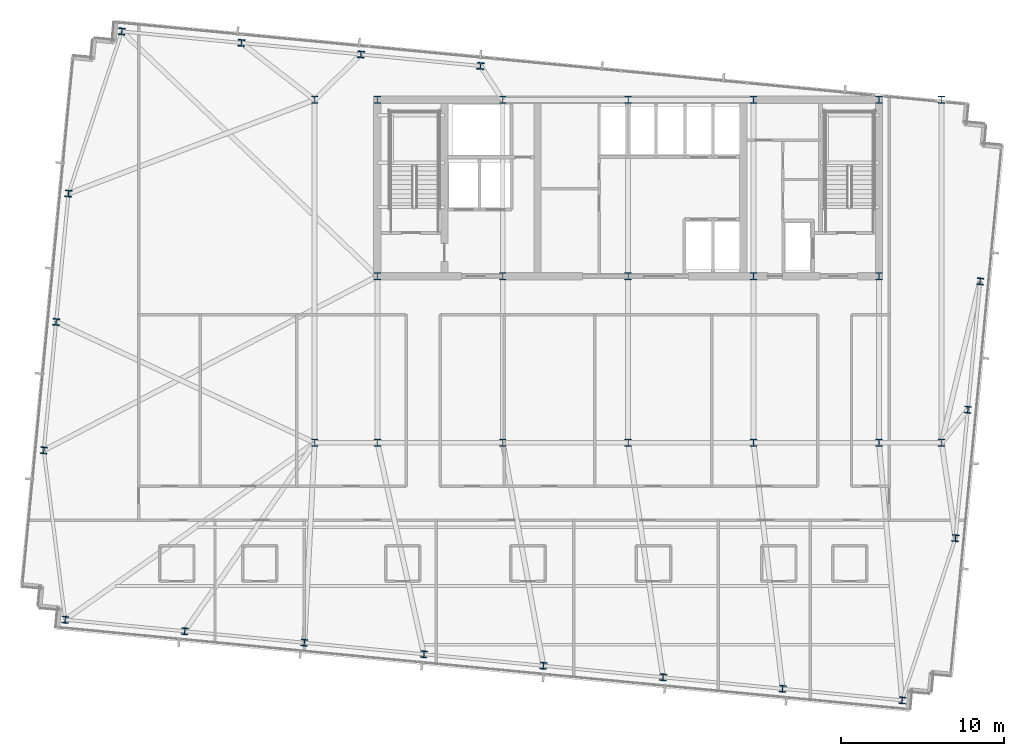
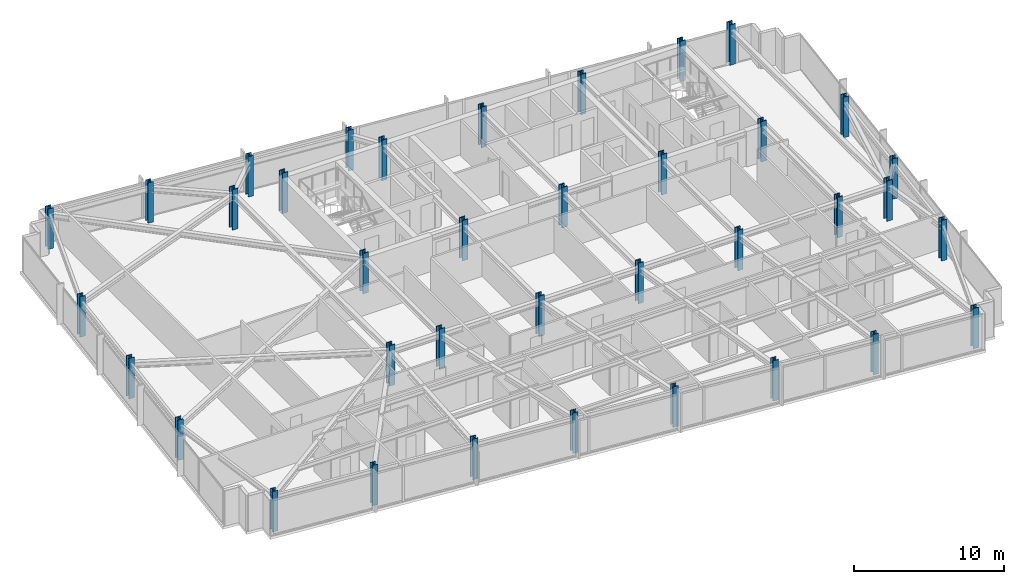
# One storey, part 1 of 37: 37 columns.
"""IFC4 building model written with IfcOpenShell, lengths in metres."""

import ifcopenshell
import ifcopenshell.guid

model = None  # the IFC model being written
_history = None  # IfcOwnerHistory: only IFC2X3 demands one
_inside = {}  # id of a spatial element -> (the spatial element, [elements in it])
_under = {}  # id of a project, library or spatial element -> (it, [spatial elements below it])
_declared = {}  # id of a project -> (the project, [libraries it declares])
_typed = {}  # id of a type object -> (the type object, [elements of that type])
_made_of = {}  # id of a material, layer set ... -> (it, [elements and type objects made of it])


def new_model(schema):
    """Start an empty IFC model of exactly this schema.

    Asked for "IFC4X3", IfcOpenShell would pick the latest addendum, in which some entities
    have other attributes; the version numbers below select the first issue.
    IFC2X3 requires an IfcOwnerHistory on every rooted entity: one is made here for all.
    """
    global model, _history
    if schema == "IFC4X3":
        model = ifcopenshell.file(schema_version=(4, 3, 0, 0))
    else:
        model = ifcopenshell.file(schema=schema)
    _inside.clear()
    _under.clear()
    _declared.clear()
    _typed.clear()
    _made_of.clear()
    _history = None
    if model.schema == "IFC2X3":
        org = make("IfcOrganization", Name="unknown")
        user = make(
            "IfcPersonAndOrganization",
            ThePerson=make("IfcPerson", FamilyName="unknown"),
            TheOrganization=org,
        )
        app = make(
            "IfcApplication",
            ApplicationDeveloper=org,
            Version="unknown",
            ApplicationFullName="unknown",
            ApplicationIdentifier="unknown",
        )
        _history = make(
            "IfcOwnerHistory",
            OwningUser=user,
            OwningApplication=app,
            ChangeAction="ADDED",
            CreationDate=0,
        )
    return model


def make(cls, **values):
    """One entity of the class cls with the attributes given. An attribute that is None is left unset."""
    return model.create_entity(
        cls, **{name: value for name, value in values.items() if value is not None}
    )


def rooted(cls, **values):
    """An entity with a GlobalId (a new one), such as an element, a storey or a relation."""
    return make(cls, GlobalId=ifcopenshell.guid.new(), OwnerHistory=_history, **values)


def si_unit(unit_type, name, prefix=None):
    """IfcSIUnit, for example si_unit("LENGTHUNIT", "METRE", prefix="MILLI")."""
    return make("IfcSIUnit", UnitType=unit_type, Prefix=prefix, Name=name)


def assignment(units):
    """IfcUnitAssignment: the units of a project."""
    return None if units is None else make("IfcUnitAssignment", Units=units)


def point(xyz):
    """IfcCartesianPoint."""
    return None if xyz is None else make("IfcCartesianPoint", Coordinates=xyz)


def direction(xyz):
    """IfcDirection."""
    return None if xyz is None else make("IfcDirection", DirectionRatios=xyz)


def frame(location, z_axis=None, x_axis=None):
    """IfcAxis2Placement3D, a coordinate frame: its origin and axes. An axis left out is left unset."""
    return make(
        "IfcAxis2Placement3D",
        Location=point(location),
        Axis=direction(z_axis),
        RefDirection=direction(x_axis),
    )


def frame_2d(location, x_axis=None):
    """IfcAxis2Placement2D, a coordinate frame in the plane: its origin and x axis."""
    return make(
        "IfcAxis2Placement2D", Location=point(location), RefDirection=direction(x_axis)
    )


def origin():
    """The frame at (0, 0, 0) with its axes left unset."""
    return frame((0.0, 0.0, 0.0))


def origin_2d():
    """The frame at (0, 0) in the plane with its x axis left unset."""
    return frame_2d((0.0, 0.0))


def place(relative_to, where):
    """IfcLocalPlacement: puts the frame where relative to a parent placement (None: the world)."""
    return make(
        "IfcLocalPlacement", PlacementRelTo=relative_to, RelativePlacement=where
    )


def context(
    kind, dimensions, precision=None, world=None, true_north=None, identifier=None
):
    """IfcGeometricRepresentationContext, for example the 3D "Model" context."""
    return make(
        "IfcGeometricRepresentationContext",
        ContextIdentifier=identifier,
        ContextType=kind,
        CoordinateSpaceDimension=dimensions,
        Precision=precision,
        WorldCoordinateSystem=world,
        TrueNorth=true_north,
    )


def subcontext(parent, identifier, kind, view, scale=None):
    """IfcGeometricRepresentationSubContext, for example "Body" below "Model"."""
    return make(
        "IfcGeometricRepresentationSubContext",
        ContextIdentifier=identifier,
        ContextType=kind,
        ParentContext=parent,
        TargetScale=scale,
        TargetView=view,
    )


def project(units=None, contexts=None):
    """IfcProject with its units and contexts."""
    return rooted(
        "IfcProject",
        Name="project",
        RepresentationContexts=contexts,
        UnitsInContext=assignment(units),
    )


def spatial(cls, under=None, at=None, **own):
    """A site, building, storey or space (cls), placed at a placement, below another one or the project."""
    s = rooted(cls, ObjectPlacement=at, **own)
    if under is not None:
        _under.setdefault(under.id(), (under, []))[1].append(s)
    return s


def profile(cls, at=None, kind="AREA", **sizes):
    """A parametric profile (cls). Its sizes go by their IFC names, for example OverallWidth=200.0."""
    return make(cls, ProfileType=kind, Position=at, **sizes)


def i_section(**sizes):
    """IfcIShapeProfileDef."""
    return profile("IfcIShapeProfileDef", **sizes)


def extrude(swept, where, along, depth):
    """IfcExtrudedAreaSolid: the profile swept, set in the frame where, extruded along a direction by depth."""
    return make(
        "IfcExtrudedAreaSolid",
        SweptArea=swept,
        Position=where,
        ExtrudedDirection=direction(along),
        Depth=depth,
    )


def shape(context_of_items, identifier, shape_type, items):
    """IfcShapeRepresentation: the items that make up one representation, for example the "Body"."""
    return make(
        "IfcShapeRepresentation",
        ContextOfItems=context_of_items,
        RepresentationIdentifier=identifier,
        RepresentationType=shape_type,
        Items=items,
    )


def material(Name=None, Category=None):
    """IfcMaterial."""
    return make("IfcMaterial", Name=Name, Category=Category)


def material_profile(
    of_material, cross_section, Name=None, Category=None, Priority=None
):
    """IfcMaterialProfile: a cross section and its material."""
    return make(
        "IfcMaterialProfile",
        Name=Name,
        Material=of_material,
        Profile=cross_section,
        Priority=Priority,
        Category=Category,
    )


def profile_set(profiles, Name=None, composite=None):
    """IfcMaterialProfileSet."""
    return make(
        "IfcMaterialProfileSet",
        Name=Name,
        MaterialProfiles=profiles,
        CompositeProfile=composite,
    )


def made_of(thing, what):
    """Note that an element or type object is made of a material, layer set ...; save() writes the relation."""
    if what is not None:
        _made_of.setdefault(what.id(), (what, []))[1].append(thing)
    return thing


def type_object(cls, material=None, **own):
    """A type object (cls), such as IfcWallType, which elements share."""
    return made_of(rooted(cls, **own), material)


def element(
    cls,
    number,
    at=None,
    inside=None,
    cuts=None,
    type_object=None,
    material=None,
    context=None,
    identifier="Body",
    shape_type=None,
    held_by="IfcProductDefinitionShape",
    body=None,
    shapes=None,
    **own,
):
    """One element of the class cls, such as IfcWall. Its Tag is "e" and its number.

    at: its placement. inside: the storey or other place that contains it. cuts: it is an
    opening in that element (IfcRelVoidsElement). A single representation is given by context,
    identifier, shape_type and body (its items); several are given by shapes. held_by: the class
    of the entity that holds the representations. save() writes the other relations.
    """
    e = rooted(cls, Tag="e%d" % number, ObjectPlacement=at, **own)
    if body is not None:
        shapes = [shape(context, identifier, shape_type, body)]
    if shapes is not None:
        e.Representation = make(held_by, Representations=shapes)
    if inside is not None:
        _inside.setdefault(inside.id(), (inside, []))[1].append(e)
    if cuts is not None:
        rooted(
            "IfcRelVoidsElement", RelatingBuildingElement=cuts, RelatedOpeningElement=e
        )
    if type_object is not None:
        _typed.setdefault(type_object.id(), (type_object, []))[1].append(e)
    return made_of(e, material)


def aggregate(whole, parts):
    """IfcRelAggregates: a whole, such as a stair, and the parts it consists of."""
    return rooted("IfcRelAggregates", RelatingObject=whole, RelatedObjects=parts)


def save(model, path):
    """Write the relations noted so far, then the file.

    IfcRelAggregates (storeys below a building ...), IfcRelContainedInSpatialStructure (elements
    in a storey), IfcRelDefinesByType, IfcRelAssociatesMaterial and IfcRelDeclares: one each for
    every whole, place, type object, material and project.
    """
    for whole, parts in _under.values():
        aggregate(whole, parts)
    for where, things in _inside.values():
        rooted(
            "IfcRelContainedInSpatialStructure",
            RelatedElements=things,
            RelatingStructure=where,
        )
    for kind, things in _typed.values():
        rooted("IfcRelDefinesByType", RelatedObjects=things, RelatingType=kind)
    for what, things in _made_of.values():
        rooted("IfcRelAssociatesMaterial", RelatedObjects=things, RelatingMaterial=what)
    for by, libraries in _declared.values():
        rooted("IfcRelDeclares", RelatingContext=by, RelatedDefinitions=libraries)
    model.write(path)


model = new_model("IFC4")

# Units and contexts
model_context = context("Model", 3, precision=1e-05, world=origin(), true_north=direction((0.0, 1.0)))
body_context = subcontext(model_context, "Body", "Model", "MODEL_VIEW")
ifc_project = project(units=[si_unit("LENGTHUNIT", "METRE"), si_unit("AREAUNIT", "SQUARE_METRE"), si_unit("VOLUMEUNIT", "CUBIC_METRE"), si_unit("PLANEANGLEUNIT", "RADIAN"), si_unit("MASSUNIT", "GRAM", prefix="KILO")], contexts=[model_context])

# Site, building, storey
site_placement = place(None, origin())
site = spatial("IfcSite", under=ifc_project, at=site_placement, CompositionType="ELEMENT")
building_placement = place(site_placement, origin())
building = spatial("IfcBuilding", under=site, at=building_placement, Name="Yelkora Congress Tower", CompositionType="ELEMENT")
storey_placement = place(building_placement, frame((0.0, 0.0, 188.60009765625)))
storey = spatial("IfcBuildingStorey", under=building, at=storey_placement, Name="L52", CompositionType="ELEMENT", Elevation=188.60009765625)

# Columns
ifc_material = material(Name="Steel S460M", Category="steel")
ifc_material_profile_1 = material_profile(ifc_material, i_section(OverallWidth=0.406005859375, OverallDepth=0.416015625, WebThickness=0.02978515625, FlangeThickness=0.048095703125, FilletRadius=0.014892578125, at=origin_2d()), Name="HD 400x382")
ifc_profile_set_1 = profile_set([ifc_material_profile_1], Name="Steel S460M")
column_type_1 = type_object("IfcColumnType", Name="COL-HD-382-EXT", PredefinedType="COLUMN", material=ifc_profile_set_1)
for number, where, z_axis, x_axis, name in (
    (1, (3.919189453125, 14.357421875, 0.0), (0.0, 0.0, 1.0), (0.995396198367, -0.09584575252, 0.0), "L52 Perimeter Column S01"),
    (2, (11.242431640625, 13.652099609375, 0.0), (0.0, 0.0, 1.0), (0.995396198367, -0.09584575252, 0.0), "L52 Perimeter Column S02"),
    (3, (18.56591796875, 12.947021484375, 0.0), (0.0, 0.0, 1.0), (0.995396198367, -0.09584575252, 0.0), "L52 Perimeter Column S03"),
    (4, (25.888916015625, 12.24169921875, 0.0), (0.0, 0.0, 1.0), (0.995396198367, -0.09584575252, 0.0), "L52 Perimeter Column S04"),
    (5, (33.21240234375, 11.53662109375, 0.0), (0.0, 0.0, 1.0), (0.995396198367, -0.09584575252, 0.0), "L52 Perimeter Column S05"),
    (6, (40.53564453125, 10.83154296875, 0.0), (0.0, 0.0, 1.0), (0.995396198367, -0.09584575252, 0.0), "L52 Perimeter Column S06"),
    (7, (47.85888671875, 10.12646484375, 0.0), (0.0, 0.0, 1.0), (0.995396198367, -0.09584575252, 0.0), "L52 Perimeter Column S07"),
    (8, (55.18212890625, 9.421142578125, 0.0), (0.0, 0.0, 1.0), (0.995396198367, -0.09584575252, 0.0), "L52 Perimeter Column S08"),
    (9, (7.388916015625, 50.390625, 0.0), (0.0, 0.0, 1.0), (0.995396198367, -0.09584575252, 0.0), "L52 Perimeter Column N01"),
    (10, (14.712158203125, 49.685546875, 0.0), (0.0, 0.0, 1.0), (0.995396198367, -0.09584575252, 0.0), "L52 Perimeter Column N02"),
    (11, (22.035400390625, 48.980224609375, 0.0), (0.0, 0.0, 1.0), (0.995396198367, -0.09584575252, 0.0), "L52 Perimeter Column N03"),
    (12, (29.358642578125, 48.275146484375, 0.0), (0.0, 0.0, 1.0), (0.995396198367, -0.09584575252, 0.0), "L52 Perimeter Column N04"),
    (13, (2.607421875, 24.730712890625, 0.0), (0.0, 0.0, 1.0), (0.995396198367, -0.09584575252, 0.0), "L52 Perimeter Column W01"),
    (14, (58.44921875, 19.353759765625, 0.0), (0.0, 0.0, 1.0), (0.995396198367, -0.09584575252, 0.0), "L52 Perimeter Column E01"),
    (15, (3.364501953125, 32.594482421875, 0.0), (0.0, 0.0, 1.0), (0.995396198367, -0.09584575252, 0.0), "L52 Perimeter Column W02"),
    (16, (59.206298828125, 27.217529296875, 0.0), (0.0, 0.0, 1.0), (0.995396198367, -0.09584575252, 0.0), "L52 Perimeter Column E02"),
    (17, (4.121826171875, 40.4580078125, 0.0), (0.0, 0.0, 1.0), (0.995396198367, -0.09584575252, 0.0), "L52 Perimeter Column W03"),
    (18, (59.96337890625, 35.0810546875, 0.0), (0.0, 0.0, 1.0), (0.995396198367, -0.09584575252, 0.0), "L52 Perimeter Column E03"),
):
    element("IfcColumn", number, at=place(storey_placement, frame(where, z_axis=z_axis, x_axis=x_axis)), inside=storey, type_object=column_type_1, Name=name, PredefinedType="COLUMN", context=body_context, shape_type="SweptSolid", body=[
        extrude(i_section(OverallWidth=0.406005859375, OverallDepth=0.416015625, WebThickness=0.02978515625, FlangeThickness=0.048095703125, FilletRadius=0.014892578125, at=origin_2d()), origin(), (0.0, 0.0, 1.0), 3.2998046875),
    ])
ifc_material_profile_2 = material_profile(ifc_material, i_section(OverallWidth=0.41796875, OverallDepth=0.455078125, WebThickness=0.0419921875, FlangeThickness=0.068115234375, FilletRadius=0.014892578125, at=origin_2d()), Name="HD 400x551")
ifc_profile_set_2 = profile_set([ifc_material_profile_2], Name="Steel S460M")
column_type_2 = type_object("IfcColumnType", Name="COL-HD-551", PredefinedType="COLUMN", material=ifc_profile_set_2)
for number, where, z_axis, x_axis, name in (
    (19, (23.0400390625, 35.39990234375, 0.0), (0.0, 0.0, 1.0), (1.0, 0.0, 0.0), "L52 Mega Column MC-S1"),
    (20, (23.0400390625, 46.199951171875, 0.0), (0.0, 0.0, 1.0), (1.0, 0.0, 0.0), "L52 Mega Column MC-N1"),
    (21, (23.0400390625, 25.199951171875, 0.0), (0.0, 0.0, 1.0), (1.0, 0.0, 0.0), "L52 Mega Column MC-D1"),
    (22, (30.719970703125, 35.39990234375, 0.0), (0.0, 0.0, 1.0), (1.0, 0.0, 0.0), "L52 Mega Column MC-S2"),
    (23, (30.719970703125, 46.199951171875, 0.0), (0.0, 0.0, 1.0), (1.0, 0.0, 0.0), "L52 Mega Column MC-N2"),
    (24, (30.719970703125, 25.199951171875, 0.0), (0.0, 0.0, 1.0), (1.0, 0.0, 0.0), "L52 Mega Column MC-D2"),
    (25, (38.39990234375, 35.39990234375, 0.0), (0.0, 0.0, 1.0), (1.0, 0.0, 0.0), "L52 Mega Column MC-S3"),
    (26, (38.39990234375, 46.199951171875, 0.0), (0.0, 0.0, 1.0), (1.0, 0.0, 0.0), "L52 Mega Column MC-N3"),
    (27, (38.39990234375, 25.199951171875, 0.0), (0.0, 0.0, 1.0), (1.0, 0.0, 0.0), "L52 Mega Column MC-D3"),
    (28, (46.080078125, 35.39990234375, 0.0), (0.0, 0.0, 1.0), (1.0, 0.0, 0.0), "L52 Mega Column MC-S4"),
    (29, (46.080078125, 46.199951171875, 0.0), (0.0, 0.0, 1.0), (1.0, 0.0, 0.0), "L52 Mega Column MC-N4"),
    (30, (46.080078125, 25.199951171875, 0.0), (0.0, 0.0, 1.0), (1.0, 0.0, 0.0), "L52 Mega Column MC-D4"),
    (31, (53.760009765625, 35.39990234375, 0.0), (0.0, 0.0, 1.0), (1.0, 0.0, 0.0), "L52 Mega Column MC-S5"),
    (32, (53.760009765625, 46.199951171875, 0.0), (0.0, 0.0, 1.0), (1.0, 0.0, 0.0), "L52 Mega Column MC-N5"),
    (33, (53.760009765625, 25.199951171875, 0.0), (0.0, 0.0, 1.0), (1.0, 0.0, 0.0), "L52 Mega Column MC-D5"),
    (34, (19.199951171875, 25.199951171875, 0.0), (0.0, 0.0, 1.0), (1.0, 0.0, 0.0), "L52 Mega Column MC-F1"),
    (35, (57.60009765625, 25.199951171875, 0.0), (0.0, 0.0, 1.0), (1.0, 0.0, 0.0), "L52 Mega Column MC-F2"),
    (36, (19.199951171875, 46.199951171875, 0.0), (0.0, 0.0, 1.0), (1.0, 0.0, 0.0), "L52 Mega Column MC-F3"),
    (37, (57.60009765625, 46.199951171875, 0.0), (0.0, 0.0, 1.0), (1.0, 0.0, 0.0), "L52 Mega Column MC-F4"),
):
    element("IfcColumn", number, at=place(storey_placement, frame(where, z_axis=z_axis, x_axis=x_axis)), inside=storey, type_object=column_type_2, Name=name, PredefinedType="COLUMN", context=body_context, shape_type="SweptSolid", body=[
        extrude(i_section(OverallWidth=0.41796875, OverallDepth=0.455078125, WebThickness=0.0419921875, FlangeThickness=0.068115234375, FilletRadius=0.014892578125, at=origin_2d()), origin(), (0.0, 0.0, 1.0), 3.2998046875),
    ])

save(model, "model.ifc")
